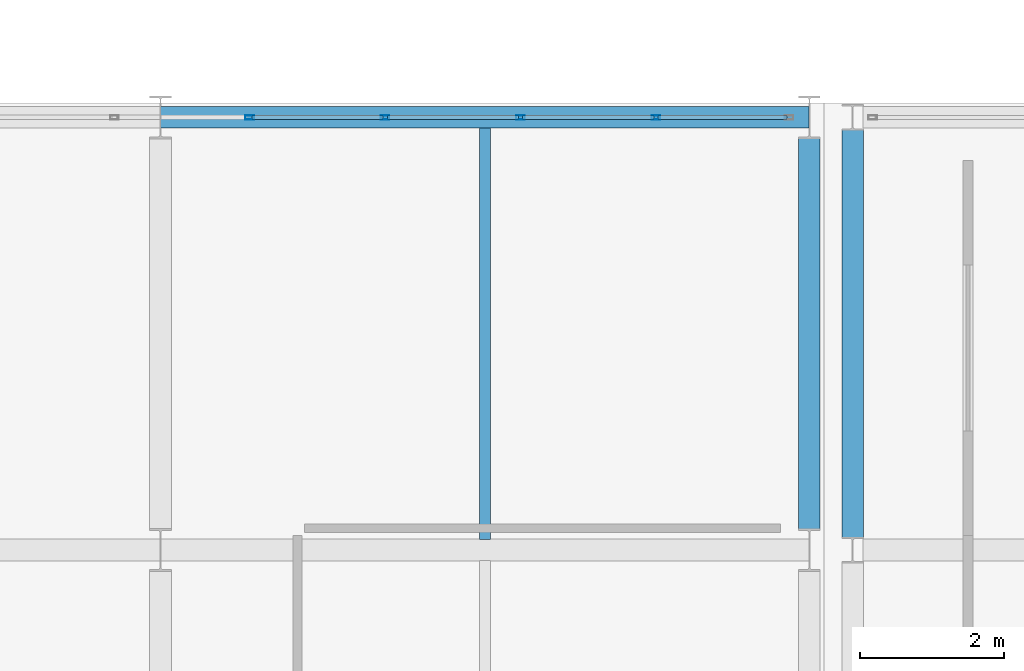
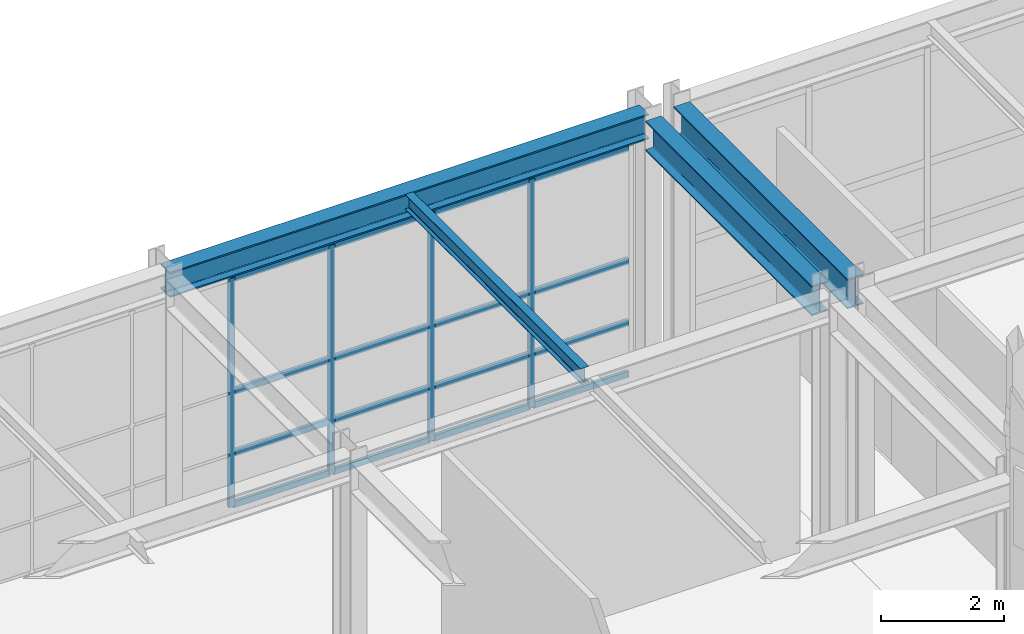
# One storey, part 172 of 239: 20 members, 4 beams, 1 element without a shape of its own.
"""IFC4 building model written with IfcOpenShell, lengths in metres."""

from ifc_helpers import new_model, si_unit, direction, frame, origin, origin_2d, place, context, subcontext, project, spatial, hollow_rectangle, i_section, extrude, material, material_profile, profile_set, type_object, element, aggregate, save


model = new_model("IFC4")

# Units and contexts
model_context = context("Model", 3, precision=1e-05, world=origin(), true_north=direction((0.0, 1.0)))
body_context = subcontext(model_context, "Body", "Model", "MODEL_VIEW")
ifc_project = project(units=[si_unit("LENGTHUNIT", "METRE"), si_unit("AREAUNIT", "SQUARE_METRE"), si_unit("VOLUMEUNIT", "CUBIC_METRE"), si_unit("PLANEANGLEUNIT", "RADIAN"), si_unit("MASSUNIT", "GRAM", prefix="KILO")], contexts=[model_context])

# Site, building, storey
site_placement = place(None, origin())
site = spatial("IfcSite", under=ifc_project, at=site_placement, CompositionType="ELEMENT")
building_placement = place(site_placement, origin())
building = spatial("IfcBuilding", under=site, at=building_placement, Name="Kaldris Quays Convention Centre", CompositionType="ELEMENT")
storey_placement = place(building_placement, frame((0.0, 0.0, 11.39990234375)))
storey = spatial("IfcBuildingStorey", under=building, at=storey_placement, Name="L02", CompositionType="ELEMENT", Elevation=11.39990234375)

# Curtain wall, members
ifc_material_1 = material(Name="Anodized aluminium AW-6060 and triple glazing", Category="aluminium")
curtain_wall_type = type_object("IfcCurtainWallType", Name="UNITISED CURTAIN WALL CW05", PredefinedType="NOTDEFINED", material=ifc_material_1)
curtain_wall_placement = place(storey_placement, origin())
curtain_wall = element("IfcCurtainWall", 1, at=curtain_wall_placement, inside=storey, type_object=curtain_wall_type, Name="L02 Unitised Curtain Wall CW05 144", PredefinedType="NOTDEFINED")
ifc_material_2 = material(Name="Anodized aluminium AW-6060", Category="aluminium")
ifc_material_profile_1 = material_profile(ifc_material_2, hollow_rectangle(XDim=0.06005859375, YDim=0.1201171875, WallThickness=0.00390625, at=origin_2d()), Name="RHS 120x60x4")
ifc_profile_set_1 = profile_set([ifc_material_profile_1], Name="Anodized aluminium AW-6060")
member_type_1 = type_object("IfcMemberType", Name="CURTAIN MULLION CWM3", PredefinedType="MULLION", material=ifc_profile_set_1)
member_1_placement = place(storey_placement, frame((156.23876953125, 116.0, 0.0), z_axis=(0.0, 0.0, 1.0), x_axis=(0.0, 1.0, 0.0)))
member_1 = element("IfcMember", 2, at=member_1_placement, type_object=member_type_1, Name="CW05 mullion 6", PredefinedType="MULLION", context=body_context, shape_type="SweptSolid", body=[
    extrude(hollow_rectangle(XDim=0.06005859375, YDim=0.1201171875, WallThickness=0.00390625, at=origin_2d()), origin(), (0.0, 0.0, 1.0), 4.548095703125),
])
member_2_placement = place(storey_placement, frame((158.11669921875, 116.0, 0.0), z_axis=(0.0, 0.0, 1.0), x_axis=(0.0, 1.0, 0.0)))
member_2 = element("IfcMember", 3, at=member_2_placement, type_object=member_type_1, Name="CW05 mullion 7", PredefinedType="MULLION", context=body_context, shape_type="SweptSolid", body=[
    extrude(hollow_rectangle(XDim=0.06005859375, YDim=0.1201171875, WallThickness=0.00390625, at=origin_2d()), origin(), (0.0, 0.0, 1.0), 4.548095703125),
])
member_3_placement = place(storey_placement, frame((159.994384765625, 116.0, 0.0), z_axis=(0.0, 0.0, 1.0), x_axis=(0.0, 1.0, 0.0)))
member_3 = element("IfcMember", 4, at=member_3_placement, type_object=member_type_1, Name="CW05 mullion 8", PredefinedType="MULLION", context=body_context, shape_type="SweptSolid", body=[
    extrude(hollow_rectangle(XDim=0.06005859375, YDim=0.1201171875, WallThickness=0.00390625, at=origin_2d()), origin(), (0.0, 0.0, 1.0), 4.548095703125),
])
member_4_placement = place(storey_placement, frame((161.872314453125, 116.0, 0.0), z_axis=(0.0, 0.0, 1.0), x_axis=(0.0, 1.0, 0.0)))
member_4 = element("IfcMember", 5, at=member_4_placement, type_object=member_type_1, Name="CW05 mullion 9", PredefinedType="MULLION", context=body_context, shape_type="SweptSolid", body=[
    extrude(hollow_rectangle(XDim=0.06005859375, YDim=0.1201171875, WallThickness=0.00390625, at=origin_2d()), origin(), (0.0, 0.0, 1.0), 4.548095703125),
])
ifc_material_profile_2 = material_profile(ifc_material_2, hollow_rectangle(XDim=0.06005859375, YDim=0.1201171875, WallThickness=0.00390625, at=origin_2d()), Name="RHS 120x60x4")
ifc_profile_set_2 = profile_set([ifc_material_profile_2], Name="Anodized aluminium AW-6060")
member_type_2 = type_object("IfcMemberType", Name="CURTAIN TRANSOM CWT1", PredefinedType="USERDEFINED", material=ifc_profile_set_2)
member_5_placement = place(storey_placement, frame((156.268798828125, 116.0, 0.030029296875), z_axis=(1.0, 0.0, 0.0), x_axis=(0.0, 1.0, 0.0)))
member_5 = element("IfcMember", 6, at=member_5_placement, type_object=member_type_2, Name="CW05 transom 6.1", ObjectType="TRANSOM", PredefinedType="USERDEFINED", context=body_context, shape_type="SweptSolid", body=[
    extrude(hollow_rectangle(XDim=0.06005859375, YDim=0.1201171875, WallThickness=0.00390625, at=origin_2d()), origin(), (0.0, 0.0, 1.0), 1.81787109375),
])
member_6_placement = place(storey_placement, frame((156.268798828125, 116.0, 1.050048828125), z_axis=(1.0, 0.0, 0.0), x_axis=(0.0, 1.0, 0.0)))
member_6 = element("IfcMember", 7, at=member_6_placement, type_object=member_type_2, Name="CW05 transom 6.2", ObjectType="TRANSOM", PredefinedType="USERDEFINED", context=body_context, shape_type="SweptSolid", body=[
    extrude(hollow_rectangle(XDim=0.06005859375, YDim=0.1201171875, WallThickness=0.00390625, at=origin_2d()), origin(), (0.0, 0.0, 1.0), 1.81787109375),
])
member_7_placement = place(storey_placement, frame((156.268798828125, 116.0, 2.274169921875), z_axis=(1.0, 0.0, 0.0), x_axis=(0.0, 1.0, 0.0)))
member_7 = element("IfcMember", 8, at=member_7_placement, type_object=member_type_2, Name="CW05 transom 6.3", ObjectType="TRANSOM", PredefinedType="USERDEFINED", context=body_context, shape_type="SweptSolid", body=[
    extrude(hollow_rectangle(XDim=0.06005859375, YDim=0.1201171875, WallThickness=0.00390625, at=origin_2d()), origin(), (0.0, 0.0, 1.0), 1.81787109375),
])
member_8_placement = place(storey_placement, frame((156.268798828125, 116.0, 4.51806640625), z_axis=(1.0, 0.0, 0.0), x_axis=(0.0, 1.0, 0.0)))
member_8 = element("IfcMember", 9, at=member_8_placement, type_object=member_type_2, Name="CW05 transom 6.4", ObjectType="TRANSOM", PredefinedType="USERDEFINED", context=body_context, shape_type="SweptSolid", body=[
    extrude(hollow_rectangle(XDim=0.06005859375, YDim=0.1201171875, WallThickness=0.00390625, at=origin_2d()), origin(), (0.0, 0.0, 1.0), 1.81787109375),
])
member_9_placement = place(storey_placement, frame((158.146728515625, 116.0, 0.030029296875), z_axis=(1.0, 0.0, 0.0), x_axis=(0.0, 1.0, 0.0)))
member_9 = element("IfcMember", 10, at=member_9_placement, type_object=member_type_2, Name="CW05 transom 7.1", ObjectType="TRANSOM", PredefinedType="USERDEFINED", context=body_context, shape_type="SweptSolid", body=[
    extrude(hollow_rectangle(XDim=0.06005859375, YDim=0.1201171875, WallThickness=0.00390625, at=origin_2d()), origin(), (0.0, 0.0, 1.0), 1.817626953125),
])
member_10_placement = place(storey_placement, frame((158.146728515625, 116.0, 1.050048828125), z_axis=(1.0, 0.0, 0.0), x_axis=(0.0, 1.0, 0.0)))
member_10 = element("IfcMember", 11, at=member_10_placement, type_object=member_type_2, Name="CW05 transom 7.2", ObjectType="TRANSOM", PredefinedType="USERDEFINED", context=body_context, shape_type="SweptSolid", body=[
    extrude(hollow_rectangle(XDim=0.06005859375, YDim=0.1201171875, WallThickness=0.00390625, at=origin_2d()), origin(), (0.0, 0.0, 1.0), 1.817626953125),
])
member_11_placement = place(storey_placement, frame((158.146728515625, 116.0, 2.274169921875), z_axis=(1.0, 0.0, 0.0), x_axis=(0.0, 1.0, 0.0)))
member_11 = element("IfcMember", 12, at=member_11_placement, type_object=member_type_2, Name="CW05 transom 7.3", ObjectType="TRANSOM", PredefinedType="USERDEFINED", context=body_context, shape_type="SweptSolid", body=[
    extrude(hollow_rectangle(XDim=0.06005859375, YDim=0.1201171875, WallThickness=0.00390625, at=origin_2d()), origin(), (0.0, 0.0, 1.0), 1.817626953125),
])
member_12_placement = place(storey_placement, frame((158.146728515625, 116.0, 4.51806640625), z_axis=(1.0, 0.0, 0.0), x_axis=(0.0, 1.0, 0.0)))
member_12 = element("IfcMember", 13, at=member_12_placement, type_object=member_type_2, Name="CW05 transom 7.4", ObjectType="TRANSOM", PredefinedType="USERDEFINED", context=body_context, shape_type="SweptSolid", body=[
    extrude(hollow_rectangle(XDim=0.06005859375, YDim=0.1201171875, WallThickness=0.00390625, at=origin_2d()), origin(), (0.0, 0.0, 1.0), 1.817626953125),
])
member_13_placement = place(storey_placement, frame((160.0244140625, 116.0, 0.030029296875), z_axis=(1.0, 0.0, 0.0), x_axis=(0.0, 1.0, 0.0)))
member_13 = element("IfcMember", 14, at=member_13_placement, type_object=member_type_2, Name="CW05 transom 8.1", ObjectType="TRANSOM", PredefinedType="USERDEFINED", context=body_context, shape_type="SweptSolid", body=[
    extrude(hollow_rectangle(XDim=0.06005859375, YDim=0.1201171875, WallThickness=0.00390625, at=origin_2d()), origin(), (0.0, 0.0, 1.0), 1.81787109375),
])
member_14_placement = place(storey_placement, frame((160.0244140625, 116.0, 1.050048828125), z_axis=(1.0, 0.0, 0.0), x_axis=(0.0, 1.0, 0.0)))
member_14 = element("IfcMember", 15, at=member_14_placement, type_object=member_type_2, Name="CW05 transom 8.2", ObjectType="TRANSOM", PredefinedType="USERDEFINED", context=body_context, shape_type="SweptSolid", body=[
    extrude(hollow_rectangle(XDim=0.06005859375, YDim=0.1201171875, WallThickness=0.00390625, at=origin_2d()), origin(), (0.0, 0.0, 1.0), 1.81787109375),
])
member_15_placement = place(storey_placement, frame((160.0244140625, 116.0, 2.274169921875), z_axis=(1.0, 0.0, 0.0), x_axis=(0.0, 1.0, 0.0)))
member_15 = element("IfcMember", 16, at=member_15_placement, type_object=member_type_2, Name="CW05 transom 8.3", ObjectType="TRANSOM", PredefinedType="USERDEFINED", context=body_context, shape_type="SweptSolid", body=[
    extrude(hollow_rectangle(XDim=0.06005859375, YDim=0.1201171875, WallThickness=0.00390625, at=origin_2d()), origin(), (0.0, 0.0, 1.0), 1.81787109375),
])
member_16_placement = place(storey_placement, frame((160.0244140625, 116.0, 4.51806640625), z_axis=(1.0, 0.0, 0.0), x_axis=(0.0, 1.0, 0.0)))
member_16 = element("IfcMember", 17, at=member_16_placement, type_object=member_type_2, Name="CW05 transom 8.4", ObjectType="TRANSOM", PredefinedType="USERDEFINED", context=body_context, shape_type="SweptSolid", body=[
    extrude(hollow_rectangle(XDim=0.06005859375, YDim=0.1201171875, WallThickness=0.00390625, at=origin_2d()), origin(), (0.0, 0.0, 1.0), 1.81787109375),
])
member_17_placement = place(storey_placement, frame((161.90234375, 116.0, 0.030029296875), z_axis=(1.0, 0.0, 0.0), x_axis=(0.0, 1.0, 0.0)))
member_17 = element("IfcMember", 18, at=member_17_placement, type_object=member_type_2, Name="CW05 transom 9.1", ObjectType="TRANSOM", PredefinedType="USERDEFINED", context=body_context, shape_type="SweptSolid", body=[
    extrude(hollow_rectangle(XDim=0.06005859375, YDim=0.1201171875, WallThickness=0.00390625, at=origin_2d()), origin(), (0.0, 0.0, 1.0), 1.78759765625),
])
member_18_placement = place(storey_placement, frame((161.90234375, 116.0, 1.050048828125), z_axis=(1.0, 0.0, 0.0), x_axis=(0.0, 1.0, 0.0)))
member_18 = element("IfcMember", 19, at=member_18_placement, type_object=member_type_2, Name="CW05 transom 9.2", ObjectType="TRANSOM", PredefinedType="USERDEFINED", context=body_context, shape_type="SweptSolid", body=[
    extrude(hollow_rectangle(XDim=0.06005859375, YDim=0.1201171875, WallThickness=0.00390625, at=origin_2d()), origin(), (0.0, 0.0, 1.0), 1.78759765625),
])
member_19_placement = place(storey_placement, frame((161.90234375, 116.0, 2.274169921875), z_axis=(1.0, 0.0, 0.0), x_axis=(0.0, 1.0, 0.0)))
member_19 = element("IfcMember", 20, at=member_19_placement, type_object=member_type_2, Name="CW05 transom 9.3", ObjectType="TRANSOM", PredefinedType="USERDEFINED", context=body_context, shape_type="SweptSolid", body=[
    extrude(hollow_rectangle(XDim=0.06005859375, YDim=0.1201171875, WallThickness=0.00390625, at=origin_2d()), origin(), (0.0, 0.0, 1.0), 1.78759765625),
])
member_20_placement = place(storey_placement, frame((161.90234375, 116.0, 4.51806640625), z_axis=(1.0, 0.0, 0.0), x_axis=(0.0, 1.0, 0.0)))
member_20 = element("IfcMember", 21, at=member_20_placement, type_object=member_type_2, Name="CW05 transom 9.4", ObjectType="TRANSOM", PredefinedType="USERDEFINED", context=body_context, shape_type="SweptSolid", body=[
    extrude(hollow_rectangle(XDim=0.06005859375, YDim=0.1201171875, WallThickness=0.00390625, at=origin_2d()), origin(), (0.0, 0.0, 1.0), 1.78759765625),
])
aggregate(curtain_wall, [member_1, member_2, member_3, member_4, member_5, member_6, member_7, member_8, member_9, member_10, member_11, member_12, member_13, member_14, member_15, member_16, member_17, member_18, member_19, member_20])

# Beams
ifc_material_3 = material(Name="Steel S355J2", Category="steel")
ifc_material_profile_3 = material_profile(ifc_material_3, i_section(OverallWidth=0.300048828125, OverallDepth=0.5, WebThickness=0.014404296875, FlangeThickness=0.028076171875, FilletRadius=0.027099609375, at=origin_2d()), Name="HEB 500")
ifc_profile_set_3 = profile_set([ifc_material_profile_3], Name="Steel S355J2")
beam_type_1 = type_object("IfcBeamType", Name="STRUCTURAL BEAM BM06", PredefinedType="BEAM", material=ifc_profile_set_3)
beam_1_placement = place(storey_placement, frame((155.001708984375, 116.0, 4.9130859375), z_axis=(1.0, 0.0, 0.0), x_axis=(0.0, 1.0, 0.0)))
element("IfcBeam", 22, at=beam_1_placement, inside=storey, type_object=beam_type_1, Name="L02 Girder BM06 52", PredefinedType="BEAM", context=body_context, shape_type="SweptSolid", body=[
    extrude(i_section(OverallWidth=0.300048828125, OverallDepth=0.5, WebThickness=0.014404296875, FlangeThickness=0.028076171875, FilletRadius=0.027099609375, at=origin_2d()), origin(), (0.0, 0.0, 1.0), 8.99658203125),
])
ifc_material_profile_4 = material_profile(ifc_material_3, i_section(OverallWidth=0.300048828125, OverallDepth=0.590087890625, WebThickness=0.012939453125, FlangeThickness=0.02490234375, FilletRadius=0.027099609375, at=origin_2d()), Name="HEA 600")
ifc_profile_set_4 = profile_set([ifc_material_profile_4], Name="Steel S355J2")
beam_type_2 = type_object("IfcBeamType", Name="STRUCTURAL BEAM BM08", PredefinedType="BEAM", material=ifc_profile_set_4)
beam_2_placement = place(storey_placement, frame((164.0, 110.2939453125, 4.8681640625), z_axis=(0.0, 1.0, 0.0), x_axis=(-1.0, 0.0, 0.0)))
element("IfcBeam", 23, at=beam_2_placement, inside=storey, type_object=beam_type_2, Name="L02 Girder BM08 101", PredefinedType="BEAM", context=body_context, shape_type="SweptSolid", body=[
    extrude(i_section(OverallWidth=0.300048828125, OverallDepth=0.590087890625, WebThickness=0.012939453125, FlangeThickness=0.02490234375, FilletRadius=0.027099609375, at=origin_2d()), origin(), (0.0, 0.0, 1.0), 5.412109375),
])
beam_3_placement = place(storey_placement, frame((164.60009765625, 110.174072265625, 4.8681640625), z_axis=(0.0, 1.0, 0.0), x_axis=(-1.0, 0.0, 0.0)))
element("IfcBeam", 24, at=beam_3_placement, inside=storey, type_object=beam_type_2, Name="L02 Girder BM08 103", PredefinedType="BEAM", context=body_context, shape_type="SweptSolid", body=[
    extrude(i_section(OverallWidth=0.300048828125, OverallDepth=0.590087890625, WebThickness=0.012939453125, FlangeThickness=0.02490234375, FilletRadius=0.027099609375, at=origin_2d()), origin(), (0.0, 0.0, 1.0), 5.65185546875),
])
ifc_material_profile_5 = material_profile(ifc_material_3, i_section(OverallWidth=0.14990234375, OverallDepth=0.300048828125, WebThickness=0.007080078125, FlangeThickness=0.0107421875, FilletRadius=0.014892578125, at=origin_2d()), Name="IPE 300")
ifc_profile_set_5 = profile_set([ifc_material_profile_5], Name="Steel S355J2")
beam_type_3 = type_object("IfcBeamType", Name="STRUCTURAL BEAM JT04", PredefinedType="JOIST", material=ifc_profile_set_5)
beam_4_placement = place(storey_placement, frame((159.5, 110.14404296875, 5.01318359375), z_axis=(0.0, 1.0, 0.0), x_axis=(-1.0, 0.0, 0.0)))
element("IfcBeam", 25, at=beam_4_placement, inside=storey, type_object=beam_type_3, Name="L02 Secondary Joist JT04 32", PredefinedType="JOIST", context=body_context, shape_type="SweptSolid", body=[
    extrude(i_section(OverallWidth=0.14990234375, OverallDepth=0.300048828125, WebThickness=0.007080078125, FlangeThickness=0.0107421875, FilletRadius=0.014892578125, at=origin_2d()), origin(), (0.0, 0.0, 1.0), 5.7119140625),
])

save(model, "model.ifc")
